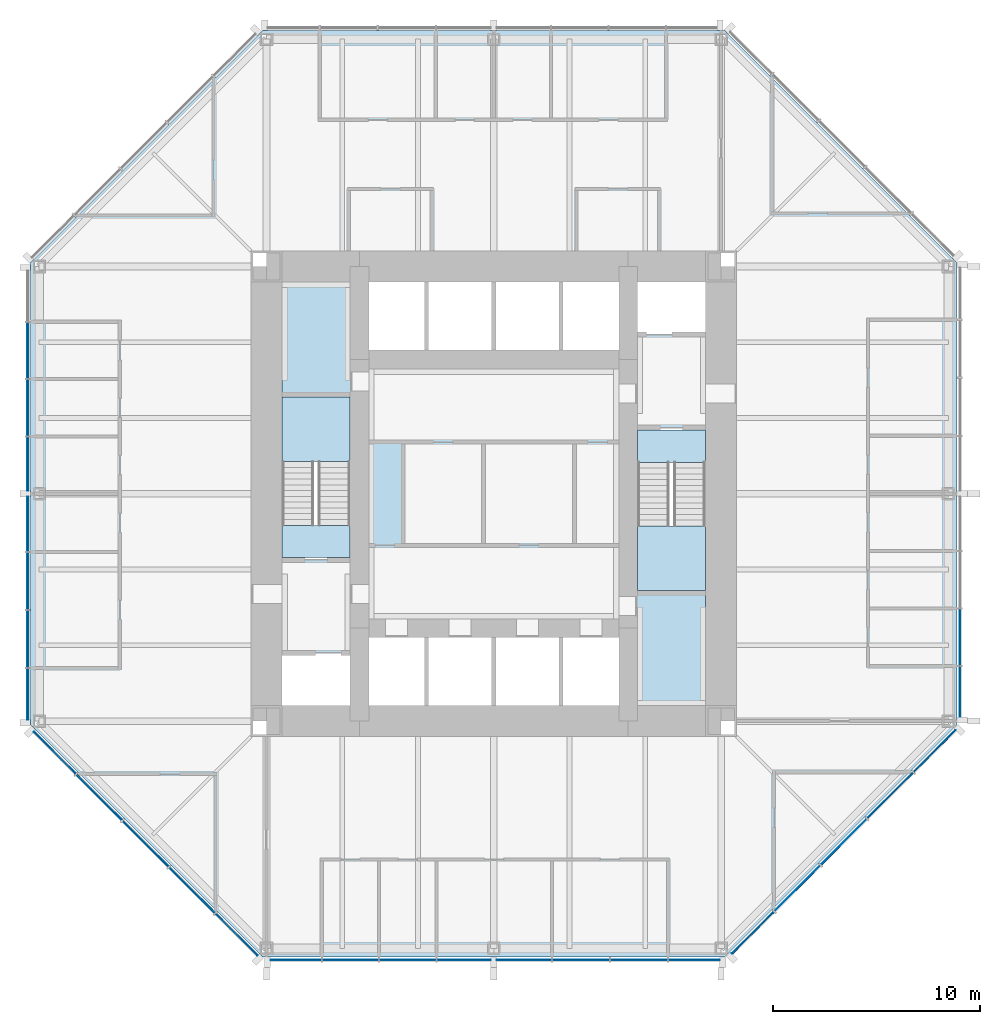
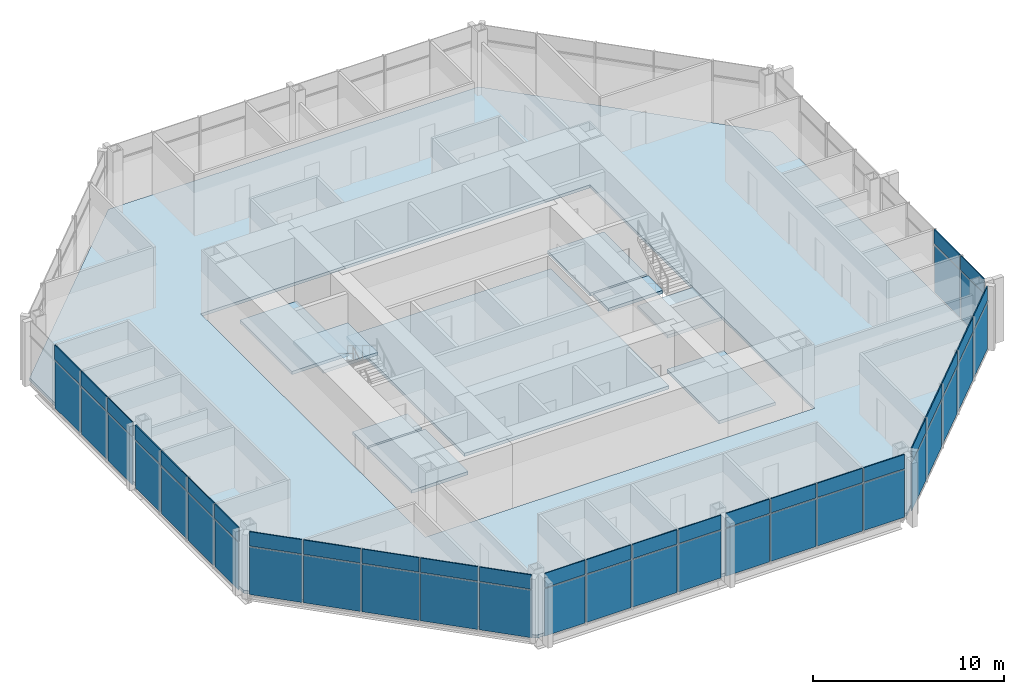
# One storey, part 7 of 12: 54 plates, 10 slabs, 7 elements without a shape of their own.
"""IFC4 building model written with IfcOpenShell, lengths in metres."""

from ifc_helpers import new_model, si_unit, direction, frame, origin, origin_2d, place, context, subcontext, project, spatial, polyline, rectangle, outline, extrude, material, layer, layer_set, type_object, element, aggregate, save


model = new_model("IFC4")

# Units and contexts
model_context = context("Model", 3, precision=1e-05, world=origin(), true_north=direction((0.0, 1.0)))
body_context = subcontext(model_context, "Body", "Model", "MODEL_VIEW")
ifc_project = project(units=[si_unit("LENGTHUNIT", "METRE"), si_unit("AREAUNIT", "SQUARE_METRE"), si_unit("VOLUMEUNIT", "CUBIC_METRE"), si_unit("PLANEANGLEUNIT", "RADIAN"), si_unit("MASSUNIT", "GRAM", prefix="KILO")], contexts=[model_context])

# Site, building, storey
site_placement = place(None, origin())
site = spatial("IfcSite", under=ifc_project, at=site_placement, CompositionType="ELEMENT")
building_placement = place(site_placement, origin())
building = spatial("IfcBuilding", under=site, at=building_placement, Name="Trevanion Tower", CompositionType="ELEMENT")
storey_placement = place(building_placement, frame((0.0, 0.0, 162.300048828125)))
storey = spatial("IfcBuildingStorey", under=building, at=storey_placement, Name="L38", CompositionType="ELEMENT", Elevation=162.300048828125)

# Curtain wall, plates
ifc_material_1 = material(Name="Aluminium and glass", Category="aluminium")
curtain_wall_type = type_object("IfcCurtainWallType", Name="CW2 curtain wall", PredefinedType="USERDEFINED", material=ifc_material_1)
curtain_wall_1_placement = place(storey_placement, origin())
curtain_wall_1 = element("IfcCurtainWall", 1, at=curtain_wall_1_placement, inside=storey, type_object=curtain_wall_type, Name="CW2 L38 0", ObjectType="UNITISED CURTAIN WALL", PredefinedType="USERDEFINED")
ifc_material_2 = material(Name="Aluminium spandrel panel", Category="aluminium")
ifc_layer_1 = layer(ifc_material_2, 0.06005859375)
ifc_layer_set_1 = layer_set([ifc_layer_1], Name="CW2 spandrel panel")
plate_type_1 = type_object("IfcPlateType", Name="CW2 spandrel panel", PredefinedType="CURTAIN_PANEL", material=ifc_layer_set_1)
plate_1_placement = place(storey_placement, frame((22.550048828125, -9.579345703125, 2.99755859375), z_axis=(0.0, 0.0, 1.0), x_axis=(0.0, 1.0, 0.0)))
plate_1 = element("IfcPlate", 2, at=plate_1_placement, type_object=plate_type_1, Name="CW2 panel 1.2", PredefinedType="CURTAIN_PANEL", context=body_context, shape_type="SweptSolid", body=[
    extrude(rectangle(XDim=2.43701171875, YDim=0.06005859375, at=origin_2d()), origin(), (0.0, 0.0, 1.0), 0.91259765625),
])
plate_2_placement = place(storey_placement, frame((22.550048828125, -6.93603515625, 2.99755859375), z_axis=(0.0, 0.0, 1.0), x_axis=(0.0, 1.0, 0.0)))
plate_2 = element("IfcPlate", 3, at=plate_2_placement, type_object=plate_type_1, Name="CW2 panel 2.2", PredefinedType="CURTAIN_PANEL", context=body_context, shape_type="SweptSolid", body=[
    extrude(rectangle(XDim=2.699462890625, YDim=0.06005859375, at=origin_2d()), origin(), (0.0, 0.0, 1.0), 0.91259765625),
])

curtain_wall_2_placement = place(storey_placement, origin())
curtain_wall_2 = element("IfcCurtainWall", 4, at=curtain_wall_2_placement, inside=storey, type_object=curtain_wall_type, Name="CW2 L38 4", ObjectType="UNITISED CURTAIN WALL", PredefinedType="USERDEFINED")
plate_3_placement = place(storey_placement, frame((-22.550048828125, 6.93603515625, 2.99755859375), z_axis=(0.0, 0.0, 1.0), x_axis=(0.0, -1.0, 0.0)))
plate_3 = element("IfcPlate", 5, at=plate_3_placement, type_object=plate_type_1, Name="CW2 panel 2.2", PredefinedType="CURTAIN_PANEL", context=body_context, shape_type="SweptSolid", body=[
    extrude(rectangle(XDim=2.699462890625, YDim=0.06005859375, at=origin_2d()), origin(), (0.0, 0.0, 1.0), 0.91259765625),
])
plate_4_placement = place(storey_placement, frame((-22.550048828125, 4.16162109375, 2.99755859375), z_axis=(0.0, 0.0, 1.0), x_axis=(0.0, -1.0, 0.0)))
plate_4 = element("IfcPlate", 6, at=plate_4_placement, type_object=plate_type_1, Name="CW2 panel 3.2", PredefinedType="CURTAIN_PANEL", context=body_context, shape_type="SweptSolid", body=[
    extrude(rectangle(XDim=2.699462890625, YDim=0.06005859375, at=origin_2d()), origin(), (0.0, 0.0, 1.0), 0.91259765625),
])
plate_5_placement = place(storey_placement, frame((-22.550048828125, 1.443603515625, 2.99755859375), z_axis=(0.0, 0.0, 1.0), x_axis=(0.0, -1.0, 0.0)))
plate_5 = element("IfcPlate", 7, at=plate_5_placement, type_object=plate_type_1, Name="CW2 panel 4.2", PredefinedType="CURTAIN_PANEL", context=body_context, shape_type="SweptSolid", body=[
    extrude(rectangle(XDim=2.5869140625, YDim=0.06005859375, at=origin_2d()), origin(), (0.0, 0.0, 1.0), 0.91259765625),
])
plate_6_placement = place(storey_placement, frame((-22.550048828125, -1.459716796875, 2.99755859375), z_axis=(0.0, 0.0, 1.0), x_axis=(0.0, -1.0, 0.0)))
plate_6 = element("IfcPlate", 8, at=plate_6_placement, type_object=plate_type_1, Name="CW2 panel 5.2", PredefinedType="CURTAIN_PANEL", context=body_context, shape_type="SweptSolid", body=[
    extrude(rectangle(XDim=2.619384765625, YDim=0.06005859375, at=origin_2d()), origin(), (0.0, 0.0, 1.0), 0.91259765625),
])
plate_7_placement = place(storey_placement, frame((-22.550048828125, -4.21044921875, 2.99755859375), z_axis=(0.0, 0.0, 1.0), x_axis=(0.0, -1.0, 0.0)))
plate_7 = element("IfcPlate", 9, at=plate_7_placement, type_object=plate_type_1, Name="CW2 panel 6.2", PredefinedType="CURTAIN_PANEL", context=body_context, shape_type="SweptSolid", body=[
    extrude(rectangle(XDim=2.73193359375, YDim=0.06005859375, at=origin_2d()), origin(), (0.0, 0.0, 1.0), 0.91259765625),
])
plate_8_placement = place(storey_placement, frame((-22.550048828125, -7.017333984375, 2.99755859375), z_axis=(0.0, 0.0, 1.0), x_axis=(0.0, -1.0, 0.0)))
plate_8 = element("IfcPlate", 10, at=plate_8_placement, type_object=plate_type_1, Name="CW2 panel 7.2", PredefinedType="CURTAIN_PANEL", context=body_context, shape_type="SweptSolid", body=[
    extrude(rectangle(XDim=2.73193359375, YDim=0.06005859375, at=origin_2d()), origin(), (0.0, 0.0, 1.0), 0.91259765625),
])
plate_9_placement = place(storey_placement, frame((-22.550048828125, -9.693115234375, 2.99755859375), z_axis=(0.0, 0.0, 1.0), x_axis=(0.0, -1.0, 0.0)))
plate_9 = element("IfcPlate", 11, at=plate_9_placement, type_object=plate_type_1, Name="CW2 panel 8.2", PredefinedType="CURTAIN_PANEL", context=body_context, shape_type="SweptSolid", body=[
    extrude(rectangle(XDim=2.469482421875, YDim=0.06005859375, at=origin_2d()), origin(), (0.0, 0.0, 1.0), 0.91259765625),
])

curtain_wall_3_placement = place(storey_placement, origin())
curtain_wall_3 = element("IfcCurtainWall", 12, at=curtain_wall_3_placement, inside=storey, type_object=curtain_wall_type, Name="CW2 L38 5", ObjectType="UNITISED CURTAIN WALL", PredefinedType="USERDEFINED")
plate_10_placement = place(storey_placement, frame((-21.2421875, -12.53564453125, 2.99755859375), z_axis=(0.0, 0.0, 1.0), x_axis=(0.707106781187, -0.707106781187, 0.0)))
plate_10 = element("IfcPlate", 13, at=plate_10_placement, type_object=plate_type_1, Name="CW2 panel 1.2", PredefinedType="CURTAIN_PANEL", context=body_context, shape_type="SweptSolid", body=[
    extrude(rectangle(XDim=2.8388671875, YDim=0.06005859375, at=origin_2d()), origin(), (0.0, 0.0, 1.0), 0.91259765625),
])
plate_11_placement = place(storey_placement, frame((-19.089111328125, -14.688720703125, 2.99755859375), z_axis=(0.0, 0.0, 1.0), x_axis=(0.707106781187, -0.707106781187, 0.0)))
plate_11 = element("IfcPlate", 14, at=plate_11_placement, type_object=plate_type_1, Name="CW2 panel 2.2", PredefinedType="CURTAIN_PANEL", context=body_context, shape_type="SweptSolid", body=[
    extrude(rectangle(XDim=3.101318359375, YDim=0.06005859375, at=origin_2d()), origin(), (0.0, 0.0, 1.0), 0.91259765625),
])
plate_12_placement = place(storey_placement, frame((-16.843017578125, -16.934814453125, 2.99755859375), z_axis=(0.0, 0.0, 1.0), x_axis=(0.707106781187, -0.707106781187, 0.0)))
plate_12 = element("IfcPlate", 15, at=plate_12_placement, type_object=plate_type_1, Name="CW2 panel 3.2", PredefinedType="CURTAIN_PANEL", context=body_context, shape_type="SweptSolid", body=[
    extrude(rectangle(XDim=3.101318359375, YDim=0.06005859375, at=origin_2d()), origin(), (0.0, 0.0, 1.0), 0.91259765625),
])
plate_13_placement = place(storey_placement, frame((-14.596923828125, -19.180908203125, 2.99755859375), z_axis=(0.0, 0.0, 1.0), x_axis=(0.707106781187, -0.707106781187, 0.0)))
plate_13 = element("IfcPlate", 16, at=plate_13_placement, type_object=plate_type_1, Name="CW2 panel 4.2", PredefinedType="CURTAIN_PANEL", context=body_context, shape_type="SweptSolid", body=[
    extrude(rectangle(XDim=3.101318359375, YDim=0.06005859375, at=origin_2d()), origin(), (0.0, 0.0, 1.0), 0.91259765625),
])
plate_14_placement = place(storey_placement, frame((-12.443603515625, -21.334228515625, 2.99755859375), z_axis=(0.0, 0.0, 1.0), x_axis=(0.707106781187, -0.707106781187, 0.0)))
plate_14 = element("IfcPlate", 17, at=plate_14_placement, type_object=plate_type_1, Name="CW2 panel 5.2", PredefinedType="CURTAIN_PANEL", context=body_context, shape_type="SweptSolid", body=[
    extrude(rectangle(XDim=2.8388671875, YDim=0.06005859375, at=origin_2d()), origin(), (0.0, 0.0, 1.0), 0.91259765625),
])

curtain_wall_4_placement = place(storey_placement, origin())
curtain_wall_4 = element("IfcCurtainWall", 18, at=curtain_wall_4_placement, inside=storey, type_object=curtain_wall_type, Name="CW2 L38 6", ObjectType="UNITISED CURTAIN WALL", PredefinedType="USERDEFINED")
plate_15_placement = place(storey_placement, frame((-9.579345703125, -22.550048828125, 2.99755859375), z_axis=(0.0, 0.0, 1.0), x_axis=(1.0, 0.0, 0.0)))
plate_15 = element("IfcPlate", 19, at=plate_15_placement, type_object=plate_type_1, Name="CW2 panel 1.2", PredefinedType="CURTAIN_PANEL", context=body_context, shape_type="SweptSolid", body=[
    extrude(rectangle(XDim=2.43701171875, YDim=0.06005859375, at=origin_2d()), origin(), (0.0, 0.0, 1.0), 0.91259765625),
])
plate_16_placement = place(storey_placement, frame((-6.93603515625, -22.550048828125, 2.99755859375), z_axis=(0.0, 0.0, 1.0), x_axis=(1.0, 0.0, 0.0)))
plate_16 = element("IfcPlate", 20, at=plate_16_placement, type_object=plate_type_1, Name="CW2 panel 2.2", PredefinedType="CURTAIN_PANEL", context=body_context, shape_type="SweptSolid", body=[
    extrude(rectangle(XDim=2.699462890625, YDim=0.06005859375, at=origin_2d()), origin(), (0.0, 0.0, 1.0), 0.91259765625),
])
plate_17_placement = place(storey_placement, frame((-4.16162109375, -22.550048828125, 2.99755859375), z_axis=(0.0, 0.0, 1.0), x_axis=(1.0, 0.0, 0.0)))
plate_17 = element("IfcPlate", 21, at=plate_17_placement, type_object=plate_type_1, Name="CW2 panel 3.2", PredefinedType="CURTAIN_PANEL", context=body_context, shape_type="SweptSolid", body=[
    extrude(rectangle(XDim=2.699462890625, YDim=0.06005859375, at=origin_2d()), origin(), (0.0, 0.0, 1.0), 0.91259765625),
])
plate_18_placement = place(storey_placement, frame((-1.443603515625, -22.550048828125, 2.99755859375), z_axis=(0.0, 0.0, 1.0), x_axis=(1.0, 0.0, 0.0)))
plate_18 = element("IfcPlate", 22, at=plate_18_placement, type_object=plate_type_1, Name="CW2 panel 4.2", PredefinedType="CURTAIN_PANEL", context=body_context, shape_type="SweptSolid", body=[
    extrude(rectangle(XDim=2.5869140625, YDim=0.06005859375, at=origin_2d()), origin(), (0.0, 0.0, 1.0), 0.91259765625),
])
plate_19_placement = place(storey_placement, frame((1.459716796875, -22.550048828125, 2.99755859375), z_axis=(0.0, 0.0, 1.0), x_axis=(1.0, 0.0, 0.0)))
plate_19 = element("IfcPlate", 23, at=plate_19_placement, type_object=plate_type_1, Name="CW2 panel 5.2", PredefinedType="CURTAIN_PANEL", context=body_context, shape_type="SweptSolid", body=[
    extrude(rectangle(XDim=2.619384765625, YDim=0.06005859375, at=origin_2d()), origin(), (0.0, 0.0, 1.0), 0.91259765625),
])
plate_20_placement = place(storey_placement, frame((4.21044921875, -22.550048828125, 2.99755859375), z_axis=(0.0, 0.0, 1.0), x_axis=(1.0, 0.0, 0.0)))
plate_20 = element("IfcPlate", 24, at=plate_20_placement, type_object=plate_type_1, Name="CW2 panel 6.2", PredefinedType="CURTAIN_PANEL", context=body_context, shape_type="SweptSolid", body=[
    extrude(rectangle(XDim=2.73193359375, YDim=0.06005859375, at=origin_2d()), origin(), (0.0, 0.0, 1.0), 0.91259765625),
])
plate_21_placement = place(storey_placement, frame((7.017333984375, -22.550048828125, 2.99755859375), z_axis=(0.0, 0.0, 1.0), x_axis=(1.0, 0.0, 0.0)))
plate_21 = element("IfcPlate", 25, at=plate_21_placement, type_object=plate_type_1, Name="CW2 panel 7.2", PredefinedType="CURTAIN_PANEL", context=body_context, shape_type="SweptSolid", body=[
    extrude(rectangle(XDim=2.73193359375, YDim=0.06005859375, at=origin_2d()), origin(), (0.0, 0.0, 1.0), 0.91259765625),
])
plate_22_placement = place(storey_placement, frame((9.693115234375, -22.550048828125, 2.99755859375), z_axis=(0.0, 0.0, 1.0), x_axis=(1.0, 0.0, 0.0)))
plate_22 = element("IfcPlate", 26, at=plate_22_placement, type_object=plate_type_1, Name="CW2 panel 8.2", PredefinedType="CURTAIN_PANEL", context=body_context, shape_type="SweptSolid", body=[
    extrude(rectangle(XDim=2.469482421875, YDim=0.06005859375, at=origin_2d()), origin(), (0.0, 0.0, 1.0), 0.91259765625),
])

curtain_wall_5_placement = place(storey_placement, origin())
curtain_wall_5 = element("IfcCurtainWall", 27, at=curtain_wall_5_placement, inside=storey, type_object=curtain_wall_type, Name="CW2 L38 7", ObjectType="UNITISED CURTAIN WALL", PredefinedType="USERDEFINED")
plate_23_placement = place(storey_placement, frame((12.53564453125, -21.2421875, 2.99755859375), z_axis=(0.0, 0.0, 1.0), x_axis=(0.707106781187, 0.707106781187, 0.0)))
plate_23 = element("IfcPlate", 28, at=plate_23_placement, type_object=plate_type_1, Name="CW2 panel 1.2", PredefinedType="CURTAIN_PANEL", context=body_context, shape_type="SweptSolid", body=[
    extrude(rectangle(XDim=2.8388671875, YDim=0.06005859375, at=origin_2d()), origin(), (0.0, 0.0, 1.0), 0.91259765625),
])
plate_24_placement = place(storey_placement, frame((14.688720703125, -19.089111328125, 2.99755859375), z_axis=(0.0, 0.0, 1.0), x_axis=(0.707106781187, 0.707106781187, 0.0)))
plate_24 = element("IfcPlate", 29, at=plate_24_placement, type_object=plate_type_1, Name="CW2 panel 2.2", PredefinedType="CURTAIN_PANEL", context=body_context, shape_type="SweptSolid", body=[
    extrude(rectangle(XDim=3.101318359375, YDim=0.06005859375, at=origin_2d()), origin(), (0.0, 0.0, 1.0), 0.91259765625),
])
plate_25_placement = place(storey_placement, frame((16.934814453125, -16.843017578125, 2.99755859375), z_axis=(0.0, 0.0, 1.0), x_axis=(0.707106781187, 0.707106781187, 0.0)))
plate_25 = element("IfcPlate", 30, at=plate_25_placement, type_object=plate_type_1, Name="CW2 panel 3.2", PredefinedType="CURTAIN_PANEL", context=body_context, shape_type="SweptSolid", body=[
    extrude(rectangle(XDim=3.101318359375, YDim=0.06005859375, at=origin_2d()), origin(), (0.0, 0.0, 1.0), 0.91259765625),
])
plate_26_placement = place(storey_placement, frame((19.180908203125, -14.596923828125, 2.99755859375), z_axis=(0.0, 0.0, 1.0), x_axis=(0.707106781187, 0.707106781187, 0.0)))
plate_26 = element("IfcPlate", 31, at=plate_26_placement, type_object=plate_type_1, Name="CW2 panel 4.2", PredefinedType="CURTAIN_PANEL", context=body_context, shape_type="SweptSolid", body=[
    extrude(rectangle(XDim=3.101318359375, YDim=0.06005859375, at=origin_2d()), origin(), (0.0, 0.0, 1.0), 0.91259765625),
])
plate_27_placement = place(storey_placement, frame((21.334228515625, -12.443603515625, 2.99755859375), z_axis=(0.0, 0.0, 1.0), x_axis=(0.707106781187, 0.707106781187, 0.0)))
plate_27 = element("IfcPlate", 32, at=plate_27_placement, type_object=plate_type_1, Name="CW2 panel 5.2", PredefinedType="CURTAIN_PANEL", context=body_context, shape_type="SweptSolid", body=[
    extrude(rectangle(XDim=2.8388671875, YDim=0.06005859375, at=origin_2d()), origin(), (0.0, 0.0, 1.0), 0.91259765625),
])

# Plate
ifc_material_3 = material(Name="Insulating glass unit", Category="glass")
ifc_layer_2 = layer(ifc_material_3, 0.028076171875)
ifc_layer_set_2 = layer_set([ifc_layer_2], Name="CW2 vision panel")
plate_type_2 = type_object("IfcPlateType", Name="CW2 vision panel", PredefinedType="CURTAIN_PANEL", material=ifc_layer_set_2)
plate_28_placement = place(storey_placement, frame((22.550048828125, -9.579345703125, -0.114990234375), z_axis=(0.0, 0.0, 1.0), x_axis=(0.0, 1.0, 0.0)))
plate_28 = element("IfcPlate", 33, at=plate_28_placement, type_object=plate_type_2, Name="CW2 panel 1.1", PredefinedType="CURTAIN_PANEL", context=body_context, shape_type="SweptSolid", body=[
    extrude(rectangle(XDim=2.43701171875, YDim=0.028076171875, at=origin_2d()), origin(), (0.0, 0.0, 1.0), 3.03759765625),
])

plate_29_placement = place(storey_placement, frame((22.550048828125, -6.93603515625, -0.114990234375), z_axis=(0.0, 0.0, 1.0), x_axis=(0.0, 1.0, 0.0)))
plate_29 = element("IfcPlate", 34, at=plate_29_placement, type_object=plate_type_2, Name="CW2 panel 2.1", PredefinedType="CURTAIN_PANEL", context=body_context, shape_type="SweptSolid", body=[
    extrude(rectangle(XDim=2.699462890625, YDim=0.028076171875, at=origin_2d()), origin(), (0.0, 0.0, 1.0), 3.03759765625),
])

aggregate(curtain_wall_1, [plate_28, plate_1, plate_29, plate_2])

plate_30_placement = place(storey_placement, frame((-22.550048828125, 6.93603515625, -0.114990234375), z_axis=(0.0, 0.0, 1.0), x_axis=(0.0, -1.0, 0.0)))
plate_30 = element("IfcPlate", 35, at=plate_30_placement, type_object=plate_type_2, Name="CW2 panel 2.1", PredefinedType="CURTAIN_PANEL", context=body_context, shape_type="SweptSolid", body=[
    extrude(rectangle(XDim=2.699462890625, YDim=0.028076171875, at=origin_2d()), origin(), (0.0, 0.0, 1.0), 3.03759765625),
])

plate_31_placement = place(storey_placement, frame((-22.550048828125, 4.16162109375, -0.114990234375), z_axis=(0.0, 0.0, 1.0), x_axis=(0.0, -1.0, 0.0)))
plate_31 = element("IfcPlate", 36, at=plate_31_placement, type_object=plate_type_2, Name="CW2 panel 3.1", PredefinedType="CURTAIN_PANEL", context=body_context, shape_type="SweptSolid", body=[
    extrude(rectangle(XDim=2.699462890625, YDim=0.028076171875, at=origin_2d()), origin(), (0.0, 0.0, 1.0), 3.03759765625),
])

plate_32_placement = place(storey_placement, frame((-22.550048828125, 1.443603515625, -0.114990234375), z_axis=(0.0, 0.0, 1.0), x_axis=(0.0, -1.0, 0.0)))
plate_32 = element("IfcPlate", 37, at=plate_32_placement, type_object=plate_type_2, Name="CW2 panel 4.1", PredefinedType="CURTAIN_PANEL", context=body_context, shape_type="SweptSolid", body=[
    extrude(rectangle(XDim=2.5869140625, YDim=0.028076171875, at=origin_2d()), origin(), (0.0, 0.0, 1.0), 3.03759765625),
])

plate_33_placement = place(storey_placement, frame((-22.550048828125, -1.459716796875, -0.114990234375), z_axis=(0.0, 0.0, 1.0), x_axis=(0.0, -1.0, 0.0)))
plate_33 = element("IfcPlate", 38, at=plate_33_placement, type_object=plate_type_2, Name="CW2 panel 5.1", PredefinedType="CURTAIN_PANEL", context=body_context, shape_type="SweptSolid", body=[
    extrude(rectangle(XDim=2.619384765625, YDim=0.028076171875, at=origin_2d()), origin(), (0.0, 0.0, 1.0), 3.03759765625),
])

plate_34_placement = place(storey_placement, frame((-22.550048828125, -4.21044921875, -0.114990234375), z_axis=(0.0, 0.0, 1.0), x_axis=(0.0, -1.0, 0.0)))
plate_34 = element("IfcPlate", 39, at=plate_34_placement, type_object=plate_type_2, Name="CW2 panel 6.1", PredefinedType="CURTAIN_PANEL", context=body_context, shape_type="SweptSolid", body=[
    extrude(rectangle(XDim=2.73193359375, YDim=0.028076171875, at=origin_2d()), origin(), (0.0, 0.0, 1.0), 3.03759765625),
])

plate_35_placement = place(storey_placement, frame((-22.550048828125, -7.017333984375, -0.114990234375), z_axis=(0.0, 0.0, 1.0), x_axis=(0.0, -1.0, 0.0)))
plate_35 = element("IfcPlate", 40, at=plate_35_placement, type_object=plate_type_2, Name="CW2 panel 7.1", PredefinedType="CURTAIN_PANEL", context=body_context, shape_type="SweptSolid", body=[
    extrude(rectangle(XDim=2.73193359375, YDim=0.028076171875, at=origin_2d()), origin(), (0.0, 0.0, 1.0), 3.03759765625),
])

plate_36_placement = place(storey_placement, frame((-22.550048828125, -9.693115234375, -0.114990234375), z_axis=(0.0, 0.0, 1.0), x_axis=(0.0, -1.0, 0.0)))
plate_36 = element("IfcPlate", 41, at=plate_36_placement, type_object=plate_type_2, Name="CW2 panel 8.1", PredefinedType="CURTAIN_PANEL", context=body_context, shape_type="SweptSolid", body=[
    extrude(rectangle(XDim=2.469482421875, YDim=0.028076171875, at=origin_2d()), origin(), (0.0, 0.0, 1.0), 3.03759765625),
])

aggregate(curtain_wall_2, [plate_30, plate_3, plate_31, plate_4, plate_32, plate_5, plate_33, plate_6, plate_34, plate_7, plate_35, plate_8, plate_36, plate_9])

plate_37_placement = place(storey_placement, frame((-21.2421875, -12.53564453125, -0.114990234375), z_axis=(0.0, 0.0, 1.0), x_axis=(0.707106781187, -0.707106781187, 0.0)))
plate_37 = element("IfcPlate", 42, at=plate_37_placement, type_object=plate_type_2, Name="CW2 panel 1.1", PredefinedType="CURTAIN_PANEL", context=body_context, shape_type="SweptSolid", body=[
    extrude(rectangle(XDim=2.8388671875, YDim=0.028076171875, at=origin_2d()), origin(), (0.0, 0.0, 1.0), 3.03759765625),
])

plate_38_placement = place(storey_placement, frame((-19.089111328125, -14.688720703125, -0.114990234375), z_axis=(0.0, 0.0, 1.0), x_axis=(0.707106781187, -0.707106781187, 0.0)))
plate_38 = element("IfcPlate", 43, at=plate_38_placement, type_object=plate_type_2, Name="CW2 panel 2.1", PredefinedType="CURTAIN_PANEL", context=body_context, shape_type="SweptSolid", body=[
    extrude(rectangle(XDim=3.101318359375, YDim=0.028076171875, at=origin_2d()), origin(), (0.0, 0.0, 1.0), 3.03759765625),
])

plate_39_placement = place(storey_placement, frame((-16.843017578125, -16.934814453125, -0.114990234375), z_axis=(0.0, 0.0, 1.0), x_axis=(0.707106781187, -0.707106781187, 0.0)))
plate_39 = element("IfcPlate", 44, at=plate_39_placement, type_object=plate_type_2, Name="CW2 panel 3.1", PredefinedType="CURTAIN_PANEL", context=body_context, shape_type="SweptSolid", body=[
    extrude(rectangle(XDim=3.101318359375, YDim=0.028076171875, at=origin_2d()), origin(), (0.0, 0.0, 1.0), 3.03759765625),
])

plate_40_placement = place(storey_placement, frame((-14.596923828125, -19.180908203125, -0.114990234375), z_axis=(0.0, 0.0, 1.0), x_axis=(0.707106781187, -0.707106781187, 0.0)))
plate_40 = element("IfcPlate", 45, at=plate_40_placement, type_object=plate_type_2, Name="CW2 panel 4.1", PredefinedType="CURTAIN_PANEL", context=body_context, shape_type="SweptSolid", body=[
    extrude(rectangle(XDim=3.101318359375, YDim=0.028076171875, at=origin_2d()), origin(), (0.0, 0.0, 1.0), 3.03759765625),
])

plate_41_placement = place(storey_placement, frame((-12.443603515625, -21.334228515625, -0.114990234375), z_axis=(0.0, 0.0, 1.0), x_axis=(0.707106781187, -0.707106781187, 0.0)))
plate_41 = element("IfcPlate", 46, at=plate_41_placement, type_object=plate_type_2, Name="CW2 panel 5.1", PredefinedType="CURTAIN_PANEL", context=body_context, shape_type="SweptSolid", body=[
    extrude(rectangle(XDim=2.8388671875, YDim=0.028076171875, at=origin_2d()), origin(), (0.0, 0.0, 1.0), 3.03759765625),
])

aggregate(curtain_wall_3, [plate_37, plate_10, plate_38, plate_11, plate_39, plate_12, plate_40, plate_13, plate_41, plate_14])

plate_42_placement = place(storey_placement, frame((-9.579345703125, -22.550048828125, -0.114990234375), z_axis=(0.0, 0.0, 1.0), x_axis=(1.0, 0.0, 0.0)))
plate_42 = element("IfcPlate", 47, at=plate_42_placement, type_object=plate_type_2, Name="CW2 panel 1.1", PredefinedType="CURTAIN_PANEL", context=body_context, shape_type="SweptSolid", body=[
    extrude(rectangle(XDim=2.43701171875, YDim=0.028076171875, at=origin_2d()), origin(), (0.0, 0.0, 1.0), 3.03759765625),
])

plate_43_placement = place(storey_placement, frame((-6.93603515625, -22.550048828125, -0.114990234375), z_axis=(0.0, 0.0, 1.0), x_axis=(1.0, 0.0, 0.0)))
plate_43 = element("IfcPlate", 48, at=plate_43_placement, type_object=plate_type_2, Name="CW2 panel 2.1", PredefinedType="CURTAIN_PANEL", context=body_context, shape_type="SweptSolid", body=[
    extrude(rectangle(XDim=2.699462890625, YDim=0.028076171875, at=origin_2d()), origin(), (0.0, 0.0, 1.0), 3.03759765625),
])

plate_44_placement = place(storey_placement, frame((-4.16162109375, -22.550048828125, -0.114990234375), z_axis=(0.0, 0.0, 1.0), x_axis=(1.0, 0.0, 0.0)))
plate_44 = element("IfcPlate", 49, at=plate_44_placement, type_object=plate_type_2, Name="CW2 panel 3.1", PredefinedType="CURTAIN_PANEL", context=body_context, shape_type="SweptSolid", body=[
    extrude(rectangle(XDim=2.699462890625, YDim=0.028076171875, at=origin_2d()), origin(), (0.0, 0.0, 1.0), 3.03759765625),
])

plate_45_placement = place(storey_placement, frame((-1.443603515625, -22.550048828125, -0.114990234375), z_axis=(0.0, 0.0, 1.0), x_axis=(1.0, 0.0, 0.0)))
plate_45 = element("IfcPlate", 50, at=plate_45_placement, type_object=plate_type_2, Name="CW2 panel 4.1", PredefinedType="CURTAIN_PANEL", context=body_context, shape_type="SweptSolid", body=[
    extrude(rectangle(XDim=2.5869140625, YDim=0.028076171875, at=origin_2d()), origin(), (0.0, 0.0, 1.0), 3.03759765625),
])

plate_46_placement = place(storey_placement, frame((1.459716796875, -22.550048828125, -0.114990234375), z_axis=(0.0, 0.0, 1.0), x_axis=(1.0, 0.0, 0.0)))
plate_46 = element("IfcPlate", 51, at=plate_46_placement, type_object=plate_type_2, Name="CW2 panel 5.1", PredefinedType="CURTAIN_PANEL", context=body_context, shape_type="SweptSolid", body=[
    extrude(rectangle(XDim=2.619384765625, YDim=0.028076171875, at=origin_2d()), origin(), (0.0, 0.0, 1.0), 3.03759765625),
])

plate_47_placement = place(storey_placement, frame((4.21044921875, -22.550048828125, -0.114990234375), z_axis=(0.0, 0.0, 1.0), x_axis=(1.0, 0.0, 0.0)))
plate_47 = element("IfcPlate", 52, at=plate_47_placement, type_object=plate_type_2, Name="CW2 panel 6.1", PredefinedType="CURTAIN_PANEL", context=body_context, shape_type="SweptSolid", body=[
    extrude(rectangle(XDim=2.73193359375, YDim=0.028076171875, at=origin_2d()), origin(), (0.0, 0.0, 1.0), 3.03759765625),
])

plate_48_placement = place(storey_placement, frame((7.017333984375, -22.550048828125, -0.114990234375), z_axis=(0.0, 0.0, 1.0), x_axis=(1.0, 0.0, 0.0)))
plate_48 = element("IfcPlate", 53, at=plate_48_placement, type_object=plate_type_2, Name="CW2 panel 7.1", PredefinedType="CURTAIN_PANEL", context=body_context, shape_type="SweptSolid", body=[
    extrude(rectangle(XDim=2.73193359375, YDim=0.028076171875, at=origin_2d()), origin(), (0.0, 0.0, 1.0), 3.03759765625),
])

plate_49_placement = place(storey_placement, frame((9.693115234375, -22.550048828125, -0.114990234375), z_axis=(0.0, 0.0, 1.0), x_axis=(1.0, 0.0, 0.0)))
plate_49 = element("IfcPlate", 54, at=plate_49_placement, type_object=plate_type_2, Name="CW2 panel 8.1", PredefinedType="CURTAIN_PANEL", context=body_context, shape_type="SweptSolid", body=[
    extrude(rectangle(XDim=2.469482421875, YDim=0.028076171875, at=origin_2d()), origin(), (0.0, 0.0, 1.0), 3.03759765625),
])

aggregate(curtain_wall_4, [plate_42, plate_15, plate_43, plate_16, plate_44, plate_17, plate_45, plate_18, plate_46, plate_19, plate_47, plate_20, plate_48, plate_21, plate_49, plate_22])

plate_50_placement = place(storey_placement, frame((12.53564453125, -21.2421875, -0.114990234375), z_axis=(0.0, 0.0, 1.0), x_axis=(0.707106781187, 0.707106781187, 0.0)))
plate_50 = element("IfcPlate", 55, at=plate_50_placement, type_object=plate_type_2, Name="CW2 panel 1.1", PredefinedType="CURTAIN_PANEL", context=body_context, shape_type="SweptSolid", body=[
    extrude(rectangle(XDim=2.8388671875, YDim=0.028076171875, at=origin_2d()), origin(), (0.0, 0.0, 1.0), 3.03759765625),
])

plate_51_placement = place(storey_placement, frame((14.688720703125, -19.089111328125, -0.114990234375), z_axis=(0.0, 0.0, 1.0), x_axis=(0.707106781187, 0.707106781187, 0.0)))
plate_51 = element("IfcPlate", 56, at=plate_51_placement, type_object=plate_type_2, Name="CW2 panel 2.1", PredefinedType="CURTAIN_PANEL", context=body_context, shape_type="SweptSolid", body=[
    extrude(rectangle(XDim=3.101318359375, YDim=0.028076171875, at=origin_2d()), origin(), (0.0, 0.0, 1.0), 3.03759765625),
])

plate_52_placement = place(storey_placement, frame((16.934814453125, -16.843017578125, -0.114990234375), z_axis=(0.0, 0.0, 1.0), x_axis=(0.707106781187, 0.707106781187, 0.0)))
plate_52 = element("IfcPlate", 57, at=plate_52_placement, type_object=plate_type_2, Name="CW2 panel 3.1", PredefinedType="CURTAIN_PANEL", context=body_context, shape_type="SweptSolid", body=[
    extrude(rectangle(XDim=3.101318359375, YDim=0.028076171875, at=origin_2d()), origin(), (0.0, 0.0, 1.0), 3.03759765625),
])

plate_53_placement = place(storey_placement, frame((19.180908203125, -14.596923828125, -0.114990234375), z_axis=(0.0, 0.0, 1.0), x_axis=(0.707106781187, 0.707106781187, 0.0)))
plate_53 = element("IfcPlate", 58, at=plate_53_placement, type_object=plate_type_2, Name="CW2 panel 4.1", PredefinedType="CURTAIN_PANEL", context=body_context, shape_type="SweptSolid", body=[
    extrude(rectangle(XDim=3.101318359375, YDim=0.028076171875, at=origin_2d()), origin(), (0.0, 0.0, 1.0), 3.03759765625),
])

plate_54_placement = place(storey_placement, frame((21.334228515625, -12.443603515625, -0.114990234375), z_axis=(0.0, 0.0, 1.0), x_axis=(0.707106781187, 0.707106781187, 0.0)))
plate_54 = element("IfcPlate", 59, at=plate_54_placement, type_object=plate_type_2, Name="CW2 panel 5.1", PredefinedType="CURTAIN_PANEL", context=body_context, shape_type="SweptSolid", body=[
    extrude(rectangle(XDim=2.8388671875, YDim=0.028076171875, at=origin_2d()), origin(), (0.0, 0.0, 1.0), 3.03759765625),
])

aggregate(curtain_wall_5, [plate_50, plate_23, plate_51, plate_24, plate_52, plate_25, plate_53, plate_26, plate_54, plate_27])

# Slabs
ifc_material_4 = material(Name="Concrete 5,000 psi on composite metal deck", Category="concrete")
ifc_layer_3 = layer(ifc_material_4, 0.18994140625)
ifc_layer_set_3 = layer_set([ifc_layer_3], Name="SL1 composite floor 190")
slab_type_1 = type_object("IfcSlabType", Name="SL1 composite floor 190", PredefinedType="FLOOR", material=ifc_layer_set_3)
slab_1_placement = place(storey_placement, frame((0.0, 0.0, -0.18994140625)))
element("IfcSlab", 60, at=slab_1_placement, inside=storey, type_object=slab_type_1, Name="SL1 L38 floor", PredefinedType="FLOOR", context=body_context, shape_type="SweptSolid", body=[
    extrude(outline(polyline([(22.419921875, -11.174072265625), (22.419921875, 11.174072265625), (11.174072265625, 22.419921875), (-11.174072265625, 22.419921875), (-22.419921875, 11.174072265625), (-22.419921875, -11.174072265625), (-11.174072265625, -22.419921875), (11.174072265625, -22.419921875), (22.419921875, -11.174072265625)]), holes=[polyline([(11.75, -11.75), (11.75, 11.75), (-11.75, 11.75), (-11.75, -11.75), (11.75, -11.75)])]), origin(), (0.0, 0.0, 1.0), 0.18994140625),
])
ifc_material_5 = material(Name="Concrete 5,000 psi", Category="concrete")
ifc_layer_4 = layer(ifc_material_5, 0.199951171875)
ifc_layer_set_4 = layer_set([ifc_layer_4], Name="SL2 core floor 200")
slab_type_2 = type_object("IfcSlabType", Name="SL2 core floor 200", PredefinedType="FLOOR", material=ifc_layer_set_4)
slab_2_placement = place(storey_placement, frame((0.0, 0.0, -0.199951171875)))
element("IfcSlab", 61, at=slab_2_placement, inside=storey, type_object=slab_type_2, Name="SL2 L38 core floor 1", PredefinedType="FLOOR", context=body_context, shape_type="SweptSolid", body=[
    extrude(outline(polyline([(10.25, -4.804931640625), (10.25, -10.25), (6.830078125, -10.25), (6.830078125, -4.804931640625), (10.25, -4.804931640625)])), origin(), (0.0, 0.0, 1.0), 0.199951171875),
])
slab_3_placement = place(storey_placement, frame((0.0, 0.0, -0.199951171875)))
element("IfcSlab", 62, at=slab_3_placement, inside=storey, type_object=slab_type_2, Name="SL2 L38 core floor 2", PredefinedType="FLOOR", context=body_context, shape_type="SweptSolid", body=[
    extrude(outline(polyline([(-6.830078125, -3.205078125), (-6.830078125, -7.695068359375), (-10.25, -7.695068359375), (-10.25, -3.205078125), (-6.830078125, -3.205078125)])), origin(), (0.0, 0.0, 1.0), 0.199951171875),
])
slab_4_placement = place(storey_placement, frame((0.0, 0.0, -0.199951171875)))
element("IfcSlab", 63, at=slab_4_placement, inside=storey, type_object=slab_type_2, Name="SL2 L38 core floor 3", PredefinedType="FLOOR", context=body_context, shape_type="SweptSolid", body=[
    extrude(outline(polyline([(6.169921875, -6.169921875), (-6.169921875, -6.169921875), (-6.169921875, 6.169921875), (6.169921875, 6.169921875), (6.169921875, -6.169921875)])), origin(), (0.0, 0.0, 1.0), 0.199951171875),
])
slab_5_placement = place(storey_placement, frame((0.0, 0.0, -0.199951171875)))
element("IfcSlab", 64, at=slab_5_placement, inside=storey, type_object=slab_type_2, Name="SL2 L38 core floor 4", PredefinedType="FLOOR", context=body_context, shape_type="SweptSolid", body=[
    extrude(outline(polyline([(6.830078125, 3.205078125), (6.830078125, 7.695068359375), (10.25, 7.695068359375), (10.25, 3.205078125), (6.830078125, 3.205078125)])), origin(), (0.0, 0.0, 1.0), 0.199951171875),
])
slab_6_placement = place(storey_placement, frame((0.0, 0.0, -0.199951171875)))
element("IfcSlab", 65, at=slab_6_placement, inside=storey, type_object=slab_type_2, Name="SL2 L38 core floor 5", PredefinedType="FLOOR", context=body_context, shape_type="SweptSolid", body=[
    extrude(outline(polyline([(-6.830078125, 4.804931640625), (-10.25, 4.804931640625), (-10.25, 10.25), (-6.830078125, 10.25), (-6.830078125, 4.804931640625)])), origin(), (0.0, 0.0, 1.0), 0.199951171875),
])

# Stair, slabs
ifc_material_6 = material(Name="Concrete 5,000 psi on steel stringers", Category="concrete")
stair_type = type_object("IfcStairType", Name="ST stair", PredefinedType="HALF_TURN_STAIR", material=ifc_material_6)
stair_1_placement = place(storey_placement, origin())
stair_1 = element("IfcStair", 66, at=stair_1_placement, inside=storey, type_object=stair_type, Name="ST1 L38", PredefinedType="HALF_TURN_STAIR")
ifc_material_7 = material(Name="Concrete 5,000 psi in steel pan", Category="concrete")
ifc_layer_5 = layer(ifc_material_7, 0.199951171875)
ifc_layer_set_5 = layer_set([ifc_layer_5], Name="STL stair landing 200")
slab_type_3 = type_object("IfcSlabType", Name="STL stair landing 200", PredefinedType="LANDING", material=ifc_layer_set_5)
slab_7_placement = place(storey_placement, frame((0.0, 0.0, -0.199951171875)))
slab_7 = element("IfcSlab", 67, at=slab_7_placement, type_object=slab_type_3, Name="ST1 landing 1", PredefinedType="LANDING", context=body_context, shape_type="SweptSolid", body=[
    extrude(outline(polyline([(6.949951171875, 1.52490234375), (10.25, 1.52490234375), (10.25, 3.074951171875), (6.949951171875, 3.074951171875), (6.949951171875, 1.52490234375)])), origin(), (0.0, 0.0, 1.0), 0.199951171875),
])
slab_8_placement = place(storey_placement, frame((0.0, 0.0, 1.849853515625)))
slab_8 = element("IfcSlab", 68, at=slab_8_placement, type_object=slab_type_3, Name="ST1 landing 2", PredefinedType="LANDING", context=body_context, shape_type="SweptSolid", body=[
    extrude(outline(polyline([(6.949951171875, -4.675048828125), (10.25, -4.675048828125), (10.25, -1.554931640625), (6.949951171875, -1.554931640625), (6.949951171875, -4.675048828125)])), origin(), (0.0, 0.0, 1.0), 0.2001953125),
])
aggregate(stair_1, [slab_7, slab_8])

stair_2_placement = place(storey_placement, origin())
stair_2 = element("IfcStair", 69, at=stair_2_placement, inside=storey, type_object=stair_type, Name="ST2 L38", PredefinedType="HALF_TURN_STAIR")
slab_9_placement = place(storey_placement, frame((0.0, 0.0, -0.199951171875)))
slab_9 = element("IfcSlab", 70, at=slab_9_placement, type_object=slab_type_3, Name="ST2 landing 1", PredefinedType="LANDING", context=body_context, shape_type="SweptSolid", body=[
    extrude(outline(polyline([(-6.949951171875, -1.52490234375), (-10.25, -1.52490234375), (-10.25, -3.074951171875), (-6.949951171875, -3.074951171875), (-6.949951171875, -1.52490234375)])), origin(), (0.0, 0.0, 1.0), 0.199951171875),
])
slab_10_placement = place(storey_placement, frame((0.0, 0.0, 1.849853515625)))
slab_10 = element("IfcSlab", 71, at=slab_10_placement, type_object=slab_type_3, Name="ST2 landing 2", PredefinedType="LANDING", context=body_context, shape_type="SweptSolid", body=[
    extrude(outline(polyline([(-6.949951171875, 4.675048828125), (-10.25, 4.675048828125), (-10.25, 1.554931640625), (-6.949951171875, 1.554931640625), (-6.949951171875, 4.675048828125)])), origin(), (0.0, 0.0, 1.0), 0.2001953125),
])
aggregate(stair_2, [slab_9, slab_10])

save(model, "model.ifc")
